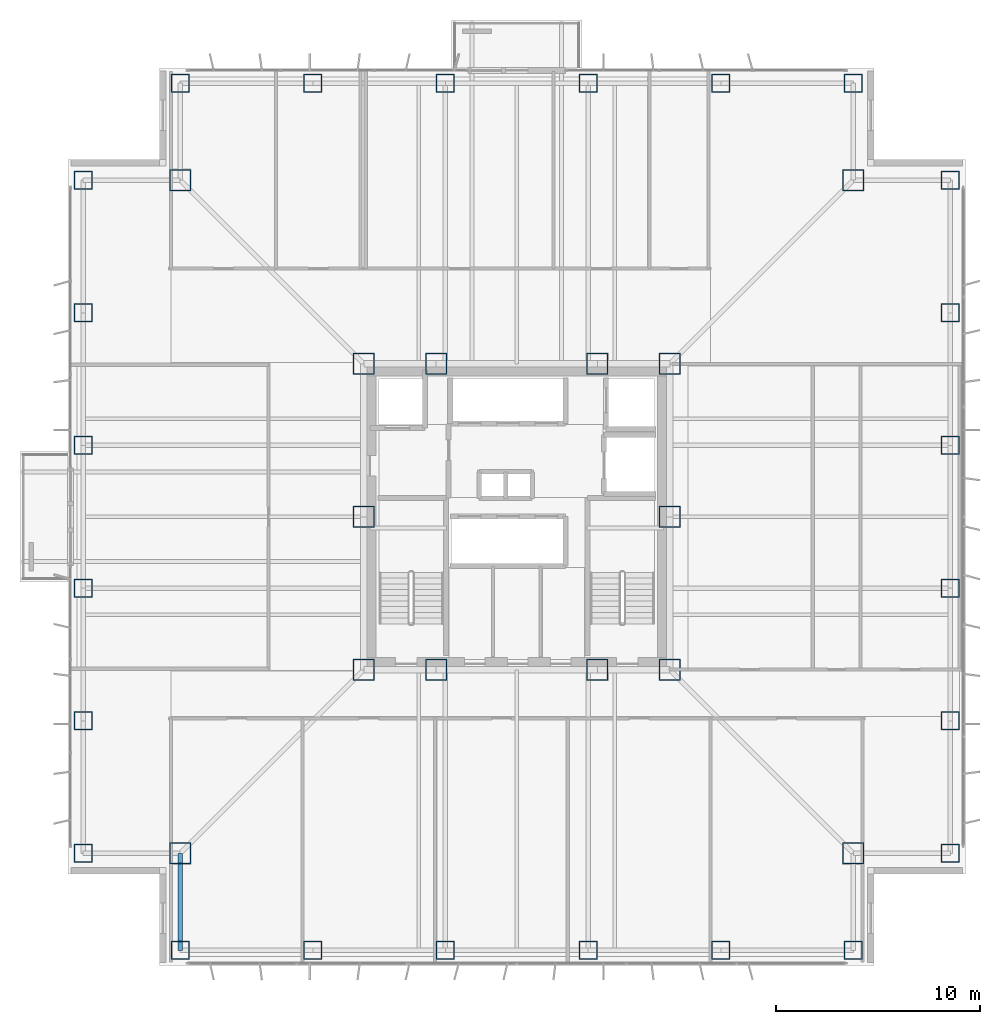
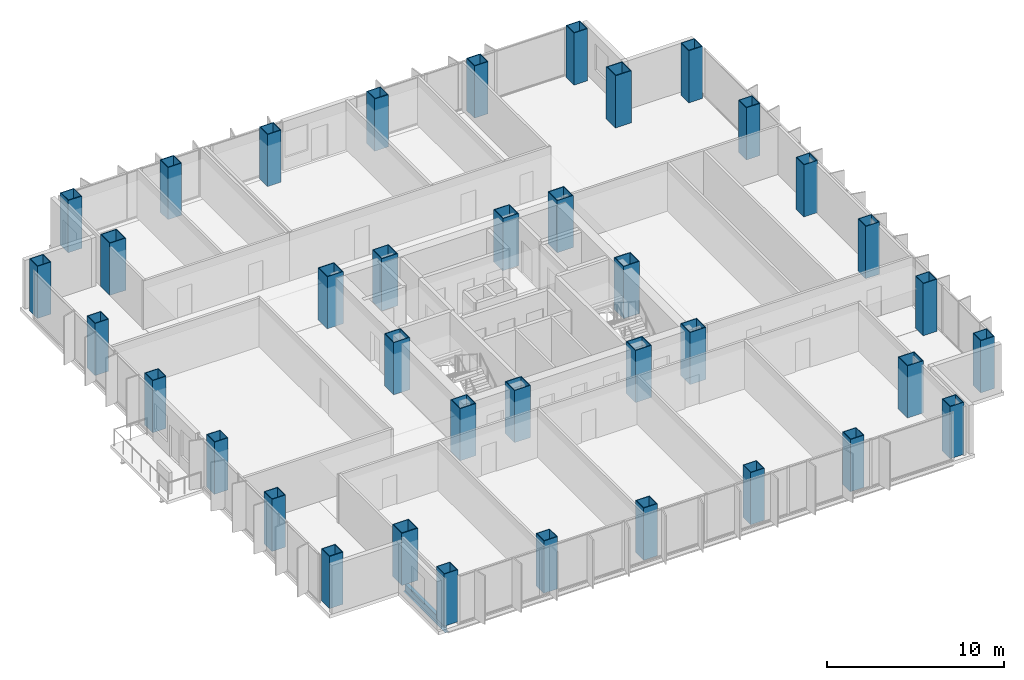
# One storey, part 1 of 15: 38 columns, 1 beam.
"""IFC4 building model written with IfcOpenShell, lengths in metres."""

from ifc_helpers import new_model, si_unit, direction, frame, origin, origin_2d, place, context, subcontext, project, spatial, hollow_rectangle, i_section, extrude, material, material_profile, profile_set, type_object, element, save


model = new_model("IFC4")

# Units and contexts
model_context = context("Model", 3, precision=1e-05, world=origin(), true_north=direction((0.0, 1.0)))
body_context = subcontext(model_context, "Body", "Model", "MODEL_VIEW")
ifc_project = project(units=[si_unit("LENGTHUNIT", "METRE"), si_unit("AREAUNIT", "SQUARE_METRE"), si_unit("VOLUMEUNIT", "CUBIC_METRE"), si_unit("PLANEANGLEUNIT", "RADIAN"), si_unit("MASSUNIT", "GRAM", prefix="KILO")], contexts=[model_context])

# Site, building, storey
site_placement = place(None, origin())
site = spatial("IfcSite", under=ifc_project, at=site_placement, CompositionType="ELEMENT")
building_placement = place(site_placement, origin())
building = spatial("IfcBuilding", under=site, at=building_placement, Name="Trevonay Congress Spire", CompositionType="ELEMENT")
storey_placement = place(building_placement, frame((0.0, 0.0, 115.60009765625)))
storey = spatial("IfcBuildingStorey", under=building, at=storey_placement, Name="L29", CompositionType="ELEMENT", Elevation=115.60009765625)

# Columns
ifc_material = material(Name="Steel ASTM A572 Grade 50", Category="steel")
ifc_material_profile_1 = material_profile(ifc_material, hollow_rectangle(XDim=1.050048828125, YDim=1.050048828125, WallThickness=0.050048828125, at=origin_2d()), Name="BOX 1050x1050x50")
ifc_profile_set_1 = profile_set([ifc_material_profile_1], Name="Steel ASTM A572 Grade 50")
column_type_1 = type_object("IfcColumnType", Name="COL-CORE-BOX1050", PredefinedType="COLUMN", material=ifc_profile_set_1)
for number, where, z_axis, x_axis, name in (
    (1, (-7.5, -7.5, 0.0), (0.0, 0.0, 1.0), (1.0, 0.0, 0.0), "L29 column C03 at CC-SW"),
    (2, (-3.949951171875, -7.5, 0.0), (0.0, 0.0, 1.0), (1.0, 0.0, 0.0), "L29 column C03 at CC-SMW"),
    (3, (3.949951171875, -7.5, 0.0), (0.0, 0.0, 1.0), (1.0, 0.0, 0.0), "L29 column C03 at CC-SME"),
    (4, (7.5, -7.5, 0.0), (0.0, 0.0, 1.0), (1.0, 0.0, 0.0), "L29 column C03 at CC-SE"),
    (5, (7.5, 0.0, 0.0), (0.0, 0.0, 1.0), (1.0, 0.0, 0.0), "L29 column C03 at CC-E"),
    (6, (7.5, 7.5, 0.0), (0.0, 0.0, 1.0), (1.0, 0.0, 0.0), "L29 column C03 at CC-NE"),
    (7, (3.949951171875, 7.5, 0.0), (0.0, 0.0, 1.0), (1.0, 0.0, 0.0), "L29 column C03 at CC-NME"),
    (8, (-3.949951171875, 7.5, 0.0), (0.0, 0.0, 1.0), (1.0, 0.0, 0.0), "L29 column C03 at CC-NMW"),
    (9, (-7.5, 7.5, 0.0), (0.0, 0.0, 1.0), (1.0, 0.0, 0.0), "L29 column C03 at CC-NW"),
    (10, (-7.5, 0.0, 0.0), (0.0, 0.0, 1.0), (1.0, 0.0, 0.0), "L29 column C03 at CC-W"),
):
    element("IfcColumn", number, at=place(storey_placement, frame(where, z_axis=z_axis, x_axis=x_axis)), inside=storey, type_object=column_type_1, Name=name, PredefinedType="COLUMN", context=body_context, shape_type="SweptSolid", body=[
        extrude(hollow_rectangle(XDim=1.050048828125, YDim=1.050048828125, WallThickness=0.050048828125, at=origin_2d()), origin(), (0.0, 0.0, 1.0), 3.599853515625),
    ])
ifc_material_profile_2 = material_profile(ifc_material, hollow_rectangle(XDim=1.050048828125, YDim=1.050048828125, WallThickness=0.050048828125, at=origin_2d()), Name="BOX 1050x1050x50")
ifc_profile_set_2 = profile_set([ifc_material_profile_2], Name="Steel ASTM A572 Grade 50")
column_type_2 = type_object("IfcColumnType", Name="COL-TUBE-BOX1050", PredefinedType="COLUMN", material=ifc_profile_set_2)
for number, where, z_axis, x_axis, name in (
    (11, (-16.5, -16.5, 0.0), (0.0, 0.0, 1.0), (1.0, 0.0, 0.0), "L29 column C14 at NC-SW"),
    (12, (16.5, -16.5, 0.0), (0.0, 0.0, 1.0), (1.0, 0.0, 0.0), "L29 column C14 at NC-SE"),
    (13, (16.5, 16.5, 0.0), (0.0, 0.0, 1.0), (1.0, 0.0, 0.0), "L29 column C14 at NC-NE"),
    (14, (-16.5, 16.5, 0.0), (0.0, 0.0, 1.0), (1.0, 0.0, 0.0), "L29 column C14 at NC-NW"),
):
    element("IfcColumn", number, at=place(storey_placement, frame(where, z_axis=z_axis, x_axis=x_axis)), inside=storey, type_object=column_type_2, Name=name, PredefinedType="COLUMN", context=body_context, shape_type="SweptSolid", body=[
        extrude(hollow_rectangle(XDim=1.050048828125, YDim=1.050048828125, WallThickness=0.050048828125, at=origin_2d()), origin(), (0.0, 0.0, 1.0), 3.599853515625),
    ])
ifc_material_profile_3 = material_profile(ifc_material, hollow_rectangle(XDim=0.89990234375, YDim=0.89990234375, WallThickness=0.044921875, at=origin_2d()), Name="BOX 900x900x45")
ifc_profile_set_3 = profile_set([ifc_material_profile_3], Name="Steel ASTM A572 Grade 50")
column_type_3 = type_object("IfcColumnType", Name="COL-TUBE-BOX900", PredefinedType="COLUMN", material=ifc_profile_set_3)
for number, where, z_axis, x_axis, name in (
    (15, (-16.5, -21.25, 0.0), (0.0, 0.0, 1.0), (1.0, 0.0, 0.0), "L29 column C15 at TS-1"),
    (16, (-16.5, 21.25, 0.0), (0.0, 0.0, 1.0), (1.0, 0.0, 0.0), "L29 column C15 at TN-1"),
    (17, (-21.25, -16.5, 0.0), (0.0, 0.0, 1.0), (1.0, 0.0, 0.0), "L29 column C15 at TW-1"),
    (18, (21.25, -16.5, 0.0), (0.0, 0.0, 1.0), (1.0, 0.0, 0.0), "L29 column C15 at TE-1"),
    (19, (-10.0, -21.25, 0.0), (0.0, 0.0, 1.0), (1.0, 0.0, 0.0), "L29 column C15 at TS-2"),
    (20, (-10.0, 21.25, 0.0), (0.0, 0.0, 1.0), (1.0, 0.0, 0.0), "L29 column C15 at TN-2"),
    (21, (-21.25, -10.0, 0.0), (0.0, 0.0, 1.0), (1.0, 0.0, 0.0), "L29 column C15 at TW-2"),
    (22, (21.25, -10.0, 0.0), (0.0, 0.0, 1.0), (1.0, 0.0, 0.0), "L29 column C15 at TE-2"),
    (23, (-3.5, -21.25, 0.0), (0.0, 0.0, 1.0), (1.0, 0.0, 0.0), "L29 column C15 at TS-3"),
    (24, (-3.5, 21.25, 0.0), (0.0, 0.0, 1.0), (1.0, 0.0, 0.0), "L29 column C15 at TN-3"),
    (25, (-21.25, -3.5, 0.0), (0.0, 0.0, 1.0), (1.0, 0.0, 0.0), "L29 column C15 at TW-3"),
    (26, (21.25, -3.5, 0.0), (0.0, 0.0, 1.0), (1.0, 0.0, 0.0), "L29 column C15 at TE-3"),
    (27, (3.5, -21.25, 0.0), (0.0, 0.0, 1.0), (1.0, 0.0, 0.0), "L29 column C15 at TS-4"),
    (28, (3.5, 21.25, 0.0), (0.0, 0.0, 1.0), (1.0, 0.0, 0.0), "L29 column C15 at TN-4"),
    (29, (-21.25, 3.5, 0.0), (0.0, 0.0, 1.0), (1.0, 0.0, 0.0), "L29 column C15 at TW-4"),
    (30, (21.25, 3.5, 0.0), (0.0, 0.0, 1.0), (1.0, 0.0, 0.0), "L29 column C15 at TE-4"),
    (31, (10.0, -21.25, 0.0), (0.0, 0.0, 1.0), (1.0, 0.0, 0.0), "L29 column C15 at TS-5"),
    (32, (10.0, 21.25, 0.0), (0.0, 0.0, 1.0), (1.0, 0.0, 0.0), "L29 column C15 at TN-5"),
    (33, (-21.25, 10.0, 0.0), (0.0, 0.0, 1.0), (1.0, 0.0, 0.0), "L29 column C15 at TW-5"),
    (34, (21.25, 10.0, 0.0), (0.0, 0.0, 1.0), (1.0, 0.0, 0.0), "L29 column C15 at TE-5"),
    (35, (16.5, -21.25, 0.0), (0.0, 0.0, 1.0), (1.0, 0.0, 0.0), "L29 column C15 at TS-6"),
    (36, (16.5, 21.25, 0.0), (0.0, 0.0, 1.0), (1.0, 0.0, 0.0), "L29 column C15 at TN-6"),
    (37, (-21.25, 16.5, 0.0), (0.0, 0.0, 1.0), (1.0, 0.0, 0.0), "L29 column C15 at TW-6"),
    (38, (21.25, 16.5, 0.0), (0.0, 0.0, 1.0), (1.0, 0.0, 0.0), "L29 column C15 at TE-6"),
):
    element("IfcColumn", number, at=place(storey_placement, frame(where, z_axis=z_axis, x_axis=x_axis)), inside=storey, type_object=column_type_3, Name=name, PredefinedType="COLUMN", context=body_context, shape_type="SweptSolid", body=[
        extrude(hollow_rectangle(XDim=0.89990234375, YDim=0.89990234375, WallThickness=0.044921875, at=origin_2d()), origin(), (0.0, 0.0, 1.0), 3.599853515625),
    ])

# Beam
ifc_material_profile_4 = material_profile(ifc_material, i_section(OverallWidth=0.22802734375, OverallDepth=0.60791015625, WebThickness=0.01123046875, FlangeThickness=0.017333984375, FilletRadius=0.01611328125, at=origin_2d()), Name="W610x113")
ifc_profile_set_4 = profile_set([ifc_material_profile_4], Name="Steel ASTM A572 Grade 50")
beam_type = type_object("IfcBeamType", Name="BM-RING-W610X113", PredefinedType="BEAM", material=ifc_profile_set_4)
beam_placement = place(storey_placement, frame((-16.5, -21.25, -0.544189453125), z_axis=(0.0, 1.0, 0.0), x_axis=(-1.0, 0.0, 0.0)))
element("IfcBeam", 39, at=beam_placement, inside=storey, type_object=beam_type, Name="L29 structural beam BM-L29-N1SW", PredefinedType="BEAM", context=body_context, shape_type="SweptSolid", body=[
    extrude(i_section(OverallWidth=0.22802734375, OverallDepth=0.60791015625, WebThickness=0.01123046875, FlangeThickness=0.017333984375, FilletRadius=0.01611328125, at=origin_2d()), origin(), (0.0, 0.0, 1.0), 4.75),
])

save(model, "model.ifc")
